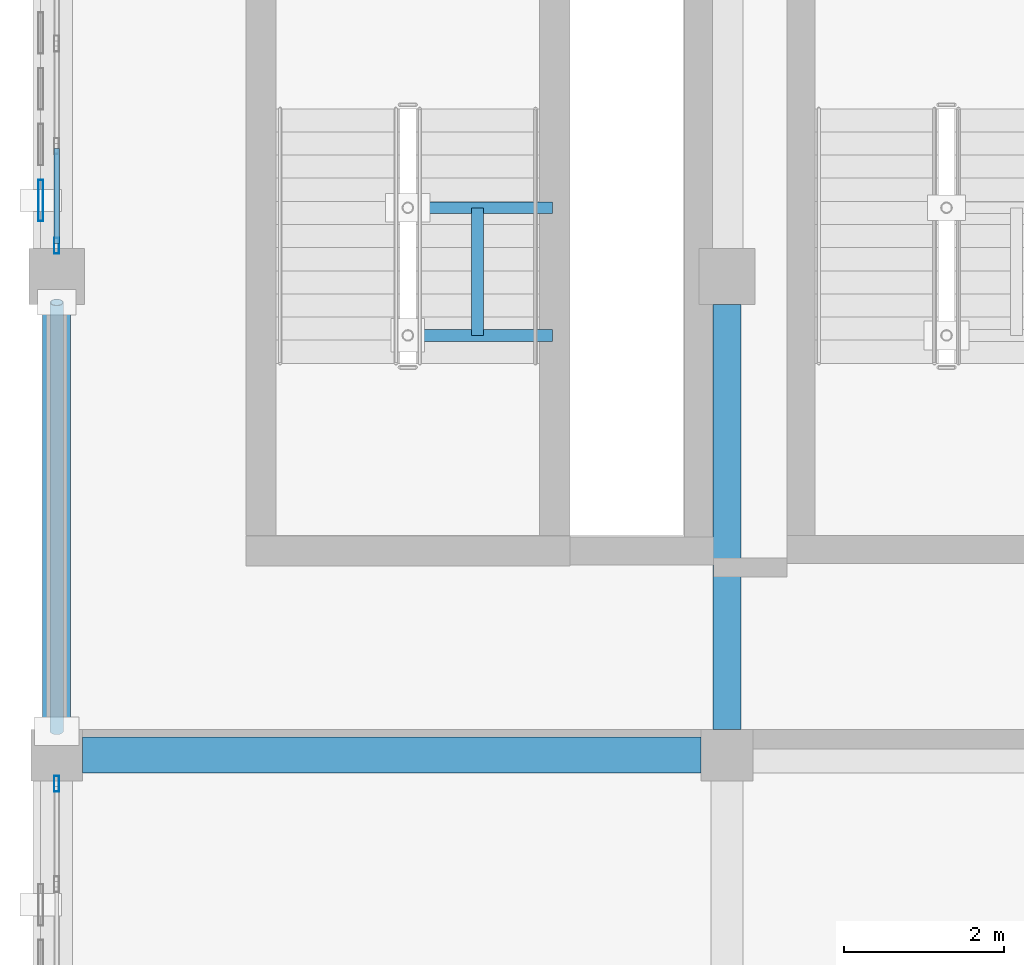
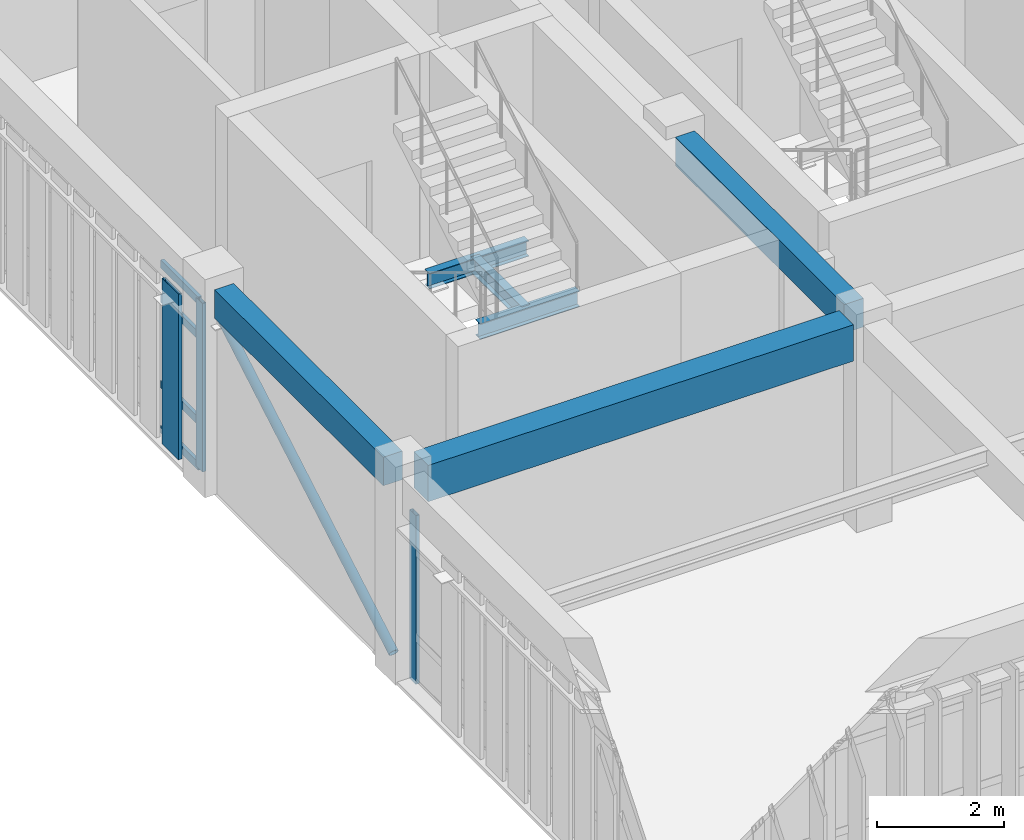
# One storey, part 7 of 22: 8 members, 6 beams, 2 elements without a shape of their own.
"""IFC4 building model written with IfcOpenShell, lengths in metres."""

from ifc_helpers import new_model, si_unit, direction, frame, origin, origin_2d, place, context, subcontext, project, spatial, rectangle, hollow_rectangle, hollow_circle, i_section, extrude, material, layer, layer_set, material_profile, profile_set, type_object, element, aggregate, save


model = new_model("IFC4")

# Units and contexts
model_context = context("Model", 3, precision=1e-05, world=origin(), true_north=direction((0.0, 1.0)))
body_context = subcontext(model_context, "Body", "Model", "MODEL_VIEW")
ifc_project = project(units=[si_unit("LENGTHUNIT", "METRE"), si_unit("AREAUNIT", "SQUARE_METRE"), si_unit("VOLUMEUNIT", "CUBIC_METRE"), si_unit("PLANEANGLEUNIT", "RADIAN"), si_unit("MASSUNIT", "GRAM", prefix="KILO")], contexts=[model_context])

# Site, building, storey
site_placement = place(None, origin())
site = spatial("IfcSite", under=ifc_project, at=site_placement, CompositionType="ELEMENT")
building_placement = place(site_placement, origin())
building = spatial("IfcBuilding", under=site, at=building_placement, Name="Krzemoval Escarpment Law Courts", CompositionType="ELEMENT")
storey_placement = place(building_placement, frame((0.0, 0.0, 29.39990234375)))
storey = spatial("IfcBuildingStorey", under=building, at=storey_placement, Name="L06", CompositionType="ELEMENT", Elevation=29.39990234375)

# Beams
ifc_material_1 = material(Name="Concrete C40/50", Category="concrete")
ifc_material_profile_1 = material_profile(ifc_material_1, rectangle(XDim=0.35009765625, YDim=0.550048828125, at=origin_2d()), Name="RCB 350x550")
ifc_profile_set_1 = profile_set([ifc_material_profile_1], Name="Concrete C40/50")
beam_type_1 = type_object("IfcBeamType", Name="BM-RC-350x550", PredefinedType="BEAM", material=ifc_profile_set_1)
for number, where, z_axis, x_axis, name in (
    (1, (126.0, 93.925048828125, 3.675048828125), (0.0, 1.0, 0.0), (-1.0, 0.0, 0.0), "Beam FG-L06-2661"),
    (2, (134.39990234375, 93.925048828125, 3.675048828125), (0.0, 1.0, 0.0), (-1.0, 0.0, 0.0), "Beam FG-L06-2666"),
):
    element("IfcBeam", number, at=place(storey_placement, frame(where, z_axis=z_axis, x_axis=x_axis)), inside=storey, type_object=beam_type_1, Name=name, PredefinedType="BEAM", context=body_context, shape_type="SweptSolid", body=[
        extrude(rectangle(XDim=0.35009765625, YDim=0.550048828125, at=origin_2d()), origin(), (0.0, 0.0, 1.0), 5.324951171875),
    ])
ifc_material_2 = material(Name="Concrete C40/50", Category="concrete")
ifc_material_profile_2 = material_profile(ifc_material_2, rectangle(XDim=0.449951171875, YDim=0.699951171875, at=origin_2d()), Name="RCB 450x700")
ifc_profile_set_2 = profile_set([ifc_material_profile_2], Name="Concrete C40/50")
beam_type_2 = type_object("IfcBeamType", Name="BM-RC-450x700", PredefinedType="BEAM", material=ifc_profile_set_2)
beam_1_placement = place(storey_placement, frame((126.324951171875, 93.60009765625, 3.60009765625), z_axis=(1.0, 0.0, 0.0), x_axis=(0.0, 1.0, 0.0)))
element("IfcBeam", 3, at=beam_1_placement, inside=storey, type_object=beam_type_2, Name="Beam FG-L06-2636", PredefinedType="BEAM", context=body_context, shape_type="SweptSolid", body=[
    extrude(rectangle(XDim=0.449951171875, YDim=0.699951171875, at=origin_2d()), origin(), (0.0, 0.0, 1.0), 7.75),
])

# Curtain wall, member
ifc_material_3 = material(Name="Aluminium 6063-T6", Category="aluminium")
ifc_layer = layer(ifc_material_3, 0.219970703125)
ifc_layer_set = layer_set([ifc_layer], Name="Aluminium 6063-T6")
curtain_wall_type = type_object("IfcCurtainWallType", Name="CW-CHMB-4200", PredefinedType="USERDEFINED", material=ifc_layer_set)
curtain_wall_1_placement = place(storey_placement, origin())
curtain_wall_1 = element("IfcCurtainWall", 4, at=curtain_wall_1_placement, inside=storey, type_object=curtain_wall_type, Name="Unitised Curtain Wall FCW-L06-146", ObjectType="UNITISED_CURTAIN_WALL", PredefinedType="USERDEFINED")
ifc_material_4 = material(Name="Aluminium 6063-T6", Category="aluminium")
ifc_material_profile_3 = material_profile(ifc_material_4, hollow_rectangle(XDim=0.06494140625, YDim=0.199951171875, WallThickness=0.00439453125, at=origin_2d()), Name="ALU M65x200")
ifc_profile_set_3 = profile_set([ifc_material_profile_3], Name="Aluminium 6063-T6")
member_type_1 = type_object("IfcMemberType", Name="CWM-65x200", PredefinedType="MULLION", material=ifc_profile_set_3)
member_1_placement = place(storey_placement, frame((126.0, 93.242431640625, 0.0), z_axis=(0.0, 0.0, 1.0), x_axis=(-1.0, 0.0, 0.0)))
member_1 = element("IfcMember", 5, at=member_1_placement, type_object=member_type_1, Name="FCW-L06-146 mullion 7", PredefinedType="MULLION", context=body_context, shape_type="SweptSolid", body=[
    extrude(hollow_rectangle(XDim=0.06494140625, YDim=0.199951171875, WallThickness=0.00439453125, at=origin_2d()), origin(), (0.0, 0.0, 1.0), 3.25),
])
aggregate(curtain_wall_1, [member_1])

# Curtain wall, members
curtain_wall_2_placement = place(storey_placement, origin())
curtain_wall_2 = element("IfcCurtainWall", 6, at=curtain_wall_2_placement, inside=storey, type_object=curtain_wall_type, Name="Unitised Curtain Wall FCW-L06-147", ObjectType="UNITISED_CURTAIN_WALL", PredefinedType="USERDEFINED")
member_2_placement = place(storey_placement, frame((126.0, 99.982421875, 0.0), z_axis=(0.0, 0.0, 1.0), x_axis=(-1.0, 0.0, 0.0)))
member_2 = element("IfcMember", 7, at=member_2_placement, type_object=member_type_1, Name="FCW-L06-147 mullion 1", PredefinedType="MULLION", context=body_context, shape_type="SweptSolid", body=[
    extrude(hollow_rectangle(XDim=0.06494140625, YDim=0.199951171875, WallThickness=0.00439453125, at=origin_2d()), origin(), (0.0, 0.0, 1.0), 3.25),
])
ifc_material_5 = material(Name="Aluminium 6063-T6", Category="aluminium")
ifc_material_profile_4 = material_profile(ifc_material_5, hollow_rectangle(XDim=0.06494140625, YDim=0.14990234375, WallThickness=0.00439453125, at=origin_2d()), Name="ALU T65x150")
ifc_profile_set_4 = profile_set([ifc_material_profile_4], Name="Aluminium 6063-T6")
member_type_2 = type_object("IfcMemberType", Name="CWT-65x150", PredefinedType="USERDEFINED", material=ifc_profile_set_4)
member_3_placement = place(storey_placement, frame((126.0, 100.014892578125, 0.03271484375), z_axis=(0.0, 1.0, 0.0), x_axis=(-1.0, 0.0, 0.0)))
member_3 = element("IfcMember", 8, at=member_3_placement, type_object=member_type_2, Name="FCW-L06-147 transom 1.1", ObjectType="TRANSOM", PredefinedType="USERDEFINED", context=body_context, shape_type="SweptSolid", body=[
    extrude(hollow_rectangle(XDim=0.06494140625, YDim=0.14990234375, WallThickness=0.00439453125, at=origin_2d()), origin(), (0.0, 0.0, 1.0), 1.18603515625),
])
member_4_placement = place(storey_placement, frame((126.0, 100.014892578125, 0.900146484375), z_axis=(0.0, 1.0, 0.0), x_axis=(-1.0, 0.0, 0.0)))
member_4 = element("IfcMember", 9, at=member_4_placement, type_object=member_type_2, Name="FCW-L06-147 transom 1.2", ObjectType="TRANSOM", PredefinedType="USERDEFINED", context=body_context, shape_type="SweptSolid", body=[
    extrude(hollow_rectangle(XDim=0.06494140625, YDim=0.14990234375, WallThickness=0.00439453125, at=origin_2d()), origin(), (0.0, 0.0, 1.0), 1.18603515625),
])
member_5_placement = place(storey_placement, frame((126.0, 100.014892578125, 2.550048828125), z_axis=(0.0, 1.0, 0.0), x_axis=(-1.0, 0.0, 0.0)))
member_5 = element("IfcMember", 10, at=member_5_placement, type_object=member_type_2, Name="FCW-L06-147 transom 1.3", ObjectType="TRANSOM", PredefinedType="USERDEFINED", context=body_context, shape_type="SweptSolid", body=[
    extrude(hollow_rectangle(XDim=0.06494140625, YDim=0.14990234375, WallThickness=0.00439453125, at=origin_2d()), origin(), (0.0, 0.0, 1.0), 1.18603515625),
])
member_6_placement = place(storey_placement, frame((126.0, 100.014892578125, 3.217529296875), z_axis=(0.0, 1.0, 0.0), x_axis=(-1.0, 0.0, 0.0)))
member_6 = element("IfcMember", 11, at=member_6_placement, type_object=member_type_2, Name="FCW-L06-147 transom 1.4", ObjectType="TRANSOM", PredefinedType="USERDEFINED", context=body_context, shape_type="SweptSolid", body=[
    extrude(hollow_rectangle(XDim=0.06494140625, YDim=0.14990234375, WallThickness=0.00439453125, at=origin_2d()), origin(), (0.0, 0.0, 1.0), 1.18603515625),
])
aggregate(curtain_wall_2, [member_2, member_3, member_4, member_5, member_6])

# Beams
ifc_material_6 = material(Name="Steel S355", Category="steel")
ifc_material_profile_5 = material_profile(ifc_material_6, i_section(OverallWidth=0.14990234375, OverallDepth=0.300048828125, WebThickness=0.007080078125, FlangeThickness=0.0107421875, at=origin_2d()), Name="IPE 300")
ifc_profile_set_5 = profile_set([ifc_material_profile_5], Name="Steel S355")
beam_type_3 = type_object("IfcBeamType", Name="JST-S355-IPE300", PredefinedType="JOIST", material=ifc_profile_set_5)
for number, where, z_axis, x_axis, name in (
    (12, (130.39990234375, 98.860107421875, 1.820068359375), (1.0, 0.0, 0.0), (0.0, 1.0, 0.0), "Stair Well Crosshead SLHW-C1-L06-1"),
    (13, (130.39990234375, 100.4599609375, 1.820068359375), (1.0, 0.0, 0.0), (0.0, 1.0, 0.0), "Stair Well Crosshead SLHW-C1-L06-2"),
):
    element("IfcBeam", number, at=place(storey_placement, frame(where, z_axis=z_axis, x_axis=x_axis)), inside=storey, type_object=beam_type_3, Name=name, PredefinedType="JOIST", context=body_context, shape_type="SweptSolid", body=[
        extrude(i_section(OverallWidth=0.14990234375, OverallDepth=0.300048828125, WebThickness=0.007080078125, FlangeThickness=0.0107421875, at=origin_2d()), origin(), (0.0, 0.0, 1.0), 1.81005859375),
    ])
beam_2_placement = place(storey_placement, frame((131.27490234375, 98.860107421875, 1.820068359375), z_axis=(0.0, 1.0, 0.0), x_axis=(-1.0, 0.0, 0.0)))
element("IfcBeam", 14, at=beam_2_placement, inside=storey, type_object=beam_type_3, Name="Stair Flight Support Stringer SLTW-C1-L06", PredefinedType="JOIST", context=body_context, shape_type="SweptSolid", body=[
    extrude(i_section(OverallWidth=0.14990234375, OverallDepth=0.300048828125, WebThickness=0.007080078125, FlangeThickness=0.0107421875, at=origin_2d()), origin(), (0.0, 0.0, 1.0), 1.599853515625),
])

# Members
ifc_material_7 = material(Name="Anodised Aluminium Alloy 6063-T6", Category="aluminium")
ifc_material_profile_6 = material_profile(ifc_material_7, hollow_rectangle(XDim=0.06494140625, YDim=0.52001953125, WallThickness=0.00439453125, at=origin_2d()), Name="ALU LVR 65x520")
ifc_profile_set_6 = profile_set([ifc_material_profile_6], Name="Anodised Aluminium Alloy 6063-T6")
member_type_3 = type_object("IfcMemberType", Name="LVR-ALU-520", PredefinedType="USERDEFINED", material=ifc_profile_set_6)
member_7_placement = place(storey_placement, frame((125.800048828125, 100.550048828125, 0.06005859375), z_axis=(0.0, 0.0, 1.0), x_axis=(1.0, 0.0, 0.0)))
element("IfcMember", 15, at=member_7_placement, inside=storey, type_object=member_type_3, Name="Sunshade Louvre Fin FLV-L06-0985", ObjectType="SUNSHADE_LOUVRE", PredefinedType="USERDEFINED", context=body_context, shape_type="SweptSolid", body=[
    extrude(hollow_rectangle(XDim=0.06494140625, YDim=0.52001953125, WallThickness=0.00439453125, at=origin_2d()), origin(), (0.0, 0.0, 1.0), 3.18994140625),
])
ifc_material_8 = material(Name="Steel S355", Category="steel")
ifc_material_profile_7 = material_profile(ifc_material_8, hollow_circle(Radius=0.084228515625, WallThickness=0.008056640625, at=origin_2d()), Name="CHS 168.3x8")
ifc_profile_set_7 = profile_set([ifc_material_profile_7], Name="Steel S355")
member_type_4 = type_object("IfcMemberType", Name="MBR-BRC-CHS168", PredefinedType="BRACE", material=ifc_profile_set_7)
member_8_placement = place(storey_placement, frame((126.0, 93.89990234375, 0.14013671875), z_axis=(0.0, 0.864165875229, 0.503207054889), x_axis=(-1.0, 0.0, 0.0)))
element("IfcMember", 16, at=member_8_placement, inside=storey, type_object=member_type_4, Name="Lateral Diagonal Brace BR-0251", PredefinedType="BRACE", context=body_context, shape_type="SweptSolid", body=[
    extrude(hollow_circle(Radius=0.084228515625, WallThickness=0.008056640625, at=origin_2d()), origin(), (0.0, 0.0, 1.0), 6.219970703125),
])

save(model, "model.ifc")
